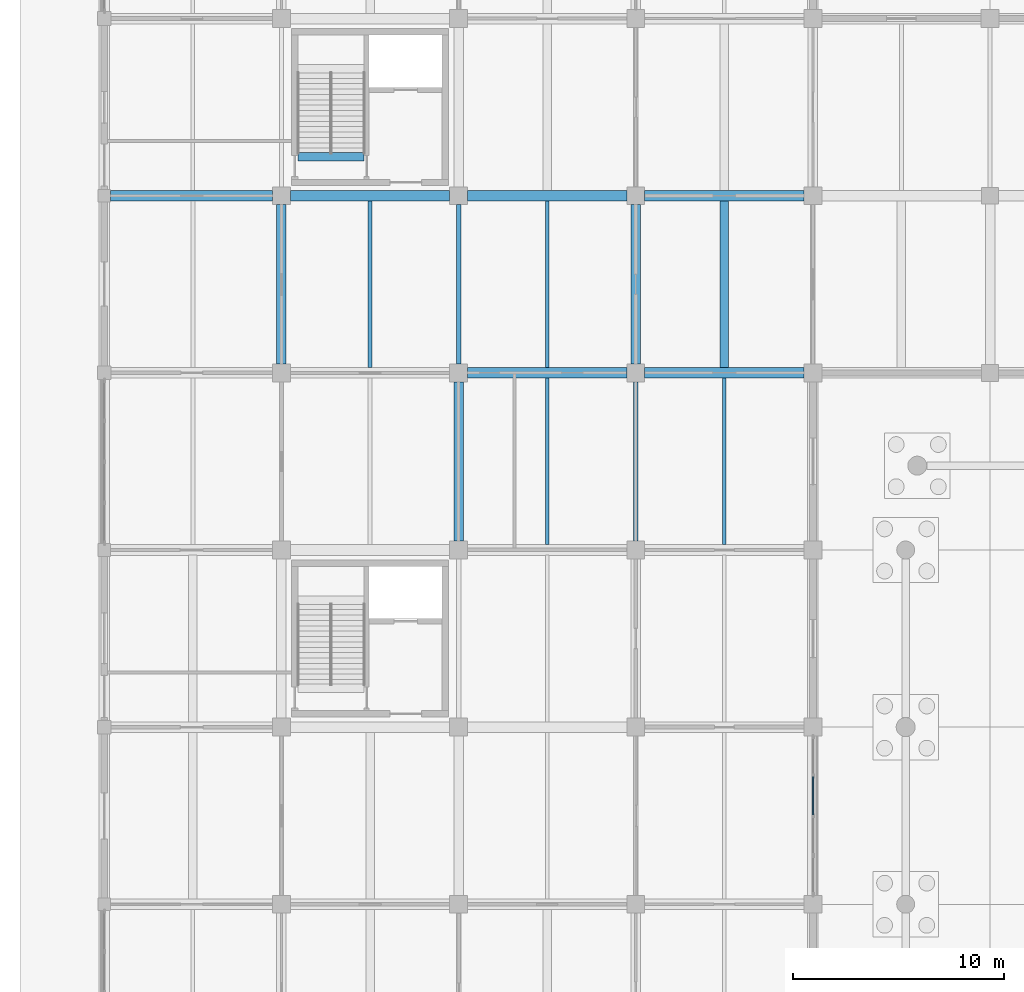
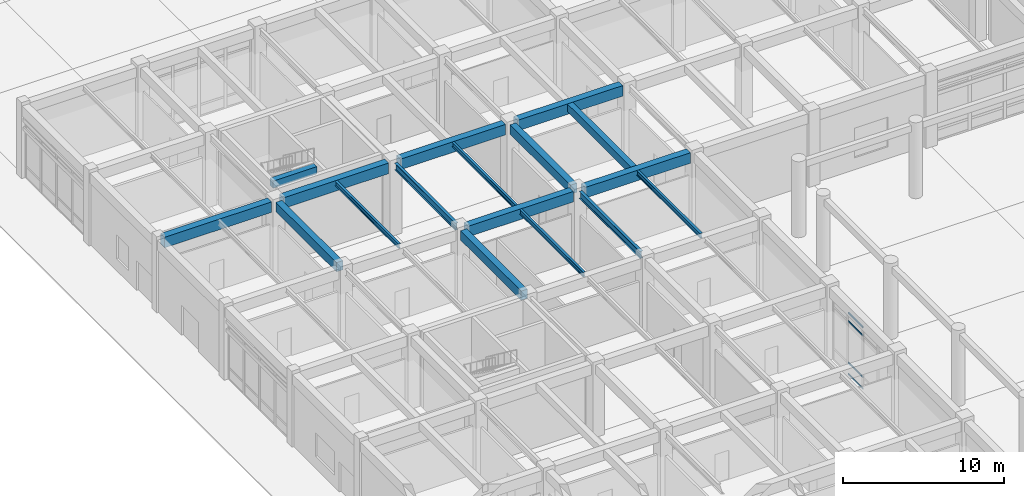
# One storey, part 8 of 91: 17 beams, 4 members, 1 element without a shape of its own.
"""IFC4 building model written with IfcOpenShell, lengths in metres."""

from ifc_helpers import new_model, si_unit, direction, frame, origin, origin_2d, place, context, subcontext, project, spatial, rectangle, i_section, extrude, material, layer, layer_set, material_profile, profile_set, type_object, element, aggregate, save


model = new_model("IFC4")

# Units and contexts
model_context = context("Model", 3, precision=1e-05, world=origin(), true_north=direction((0.0, 1.0)))
body_context = subcontext(model_context, "Body", "Model", "MODEL_VIEW")
ifc_project = project(units=[si_unit("LENGTHUNIT", "METRE"), si_unit("AREAUNIT", "SQUARE_METRE"), si_unit("VOLUMEUNIT", "CUBIC_METRE"), si_unit("PLANEANGLEUNIT", "RADIAN"), si_unit("MASSUNIT", "GRAM", prefix="KILO")], contexts=[model_context])

# Site, building, storey
site_placement = place(None, origin())
site = spatial("IfcSite", under=ifc_project, at=site_placement, CompositionType="ELEMENT")
building_placement = place(site_placement, origin())
building = spatial("IfcBuilding", under=site, at=building_placement, Name="Porcellanite Civic Hall", CompositionType="ELEMENT")
storey_placement = place(building_placement, origin())
storey = spatial("IfcBuildingStorey", under=building, at=storey_placement, Name="L00", CompositionType="ELEMENT", Elevation=0.0)

# Beams
ifc_material_1 = material(Name="Concrete N50 (50 MPa)", Category="concrete")
ifc_material_profile_1 = material_profile(ifc_material_1, rectangle(XDim=0.39990234375, YDim=0.550048828125, at=origin_2d()), Name="RC-400x550")
ifc_profile_set_1 = profile_set([ifc_material_profile_1], Name="Concrete N50 (50 MPa)")
beam_type_1 = type_object("IfcBeamType", Name="BM-RC550", PredefinedType="JOIST", material=ifc_profile_set_1)
beam_1_placement = place(storey_placement, frame((9.180419921875, 60.64990234375, 5.22509765625), z_axis=(1.0, 0.0, 0.0), x_axis=(0.0, 1.0, 0.0)))
element("IfcBeam", 1, at=beam_1_placement, inside=storey, type_object=beam_type_1, Name="Stair header beam C2 L00", PredefinedType="JOIST", context=body_context, shape_type="SweptSolid", body=[
    extrude(rectangle(XDim=0.39990234375, YDim=0.550048828125, at=origin_2d()), origin(), (0.0, 0.0, 1.0), 3.13916015625),
])
ifc_material_2 = material(Name="Concrete N50 (50 MPa)", Category="concrete")
ifc_material_profile_2 = material_profile(ifc_material_2, rectangle(XDim=0.39990234375, YDim=0.60009765625, at=origin_2d()), Name="RC-400x600")
ifc_profile_set_2 = profile_set([ifc_material_profile_2], Name="Concrete N50 (50 MPa)")
beam_type_2 = type_object("IfcBeamType", Name="BM-RC600", PredefinedType="JOIST", material=ifc_profile_set_2)
beam_2_placement = place(storey_placement, frame((29.39990234375, 50.6494140625, 5.199951171875), z_axis=(0.0, 1.0, 0.0), x_axis=(-1.0, 0.0, 0.0)))
element("IfcBeam", 2, at=beam_2_placement, inside=storey, type_object=beam_type_2, Name="Secondary joist L00 4-7", PredefinedType="JOIST", context=body_context, shape_type="SweptSolid", body=[
    extrude(rectangle(XDim=0.39990234375, YDim=0.60009765625, at=origin_2d()), origin(), (0.0, 0.0, 1.0), 7.901123046875),
])
ifc_material_3 = material(Name="Concrete N50 (50 MPa)", Category="concrete")
ifc_material_profile_3 = material_profile(ifc_material_3, rectangle(XDim=0.449951171875, YDim=0.699951171875, at=origin_2d()), Name="RC-450x700")
ifc_profile_set_3 = profile_set([ifc_material_profile_3], Name="Concrete N50 (50 MPa)")
beam_type_3 = type_object("IfcBeamType", Name="BM-RC700", PredefinedType="BEAM", material=ifc_profile_set_3)
for number, where, z_axis, x_axis, name in (
    (3, (8.39990234375, 50.824462890625, 5.14990234375), (0.0, 1.0, 0.0), (-1.0, 0.0, 0.0), "Beam Y L00 2-7"),
    (4, (16.800048828125, 42.424560546875, 5.14990234375), (0.0, 1.0, 0.0), (-1.0, 0.0, 0.0), "Beam Y L00 3-6"),
    (5, (25.199951171875, 50.824462890625, 5.14990234375), (0.0, 1.0, 0.0), (-1.0, 0.0, 0.0), "Beam Y L00 4-7"),
):
    element("IfcBeam", number, at=place(storey_placement, frame(where, z_axis=z_axis, x_axis=x_axis)), inside=storey, type_object=beam_type_3, Name=name, PredefinedType="BEAM", context=body_context, shape_type="SweptSolid", body=[
        extrude(rectangle(XDim=0.449951171875, YDim=0.699951171875, at=origin_2d()), origin(), (0.0, 0.0, 1.0), 7.551025390625),
    ])
ifc_material_4 = material(Name="Concrete N50 (50 MPa)", Category="concrete")
ifc_material_profile_4 = material_profile(ifc_material_4, rectangle(XDim=0.5, YDim=0.800048828125, at=origin_2d()), Name="RC-500x800")
ifc_profile_set_4 = profile_set([ifc_material_profile_4], Name="Concrete N50 (50 MPa)")
beam_type_4 = type_object("IfcBeamType", Name="BM-RC800", PredefinedType="BEAM", material=ifc_profile_set_4)
beam_3_placement = place(storey_placement, frame((0.299560546875, 58.800048828125, 5.10009765625), z_axis=(1.0, 0.0, 0.0), x_axis=(0.0, 1.0, 0.0)))
element("IfcBeam", 6, at=beam_3_placement, inside=storey, type_object=beam_type_4, Name="Beam X L00 1-8", PredefinedType="BEAM", context=body_context, shape_type="SweptSolid", body=[
    extrude(rectangle(XDim=0.5, YDim=0.800048828125, at=origin_2d()), origin(), (0.0, 0.0, 1.0), 7.676025390625),
])
beam_4_placement = place(storey_placement, frame((8.824462890625, 58.800048828125, 5.10009765625), z_axis=(1.0, 0.0, 0.0), x_axis=(0.0, 1.0, 0.0)))
element("IfcBeam", 7, at=beam_4_placement, inside=storey, type_object=beam_type_4, Name="Beam X L00 2-8", PredefinedType="BEAM", context=body_context, shape_type="SweptSolid", body=[
    extrude(rectangle(XDim=0.5, YDim=0.800048828125, at=origin_2d()), origin(), (0.0, 0.0, 1.0), 7.551025390625),
])
for number, where, z_axis, x_axis, name in (
    (8, (17.224609375, 50.39990234375, 5.10009765625), (1.0, 0.0, 0.0), (0.0, 1.0, 0.0), "Beam X L00 3-7"),
    (9, (17.224609375, 58.800048828125, 5.10009765625), (1.0, 0.0, 0.0), (0.0, 1.0, 0.0), "Beam X L00 3-8"),
):
    element("IfcBeam", number, at=place(storey_placement, frame(where, z_axis=z_axis, x_axis=x_axis)), inside=storey, type_object=beam_type_4, Name=name, PredefinedType="BEAM", context=body_context, shape_type="SweptSolid", body=[
        extrude(rectangle(XDim=0.5, YDim=0.800048828125, at=origin_2d()), origin(), (0.0, 0.0, 1.0), 7.55078125),
    ])
for number, where, z_axis, x_axis, name in (
    (10, (25.62451171875, 50.39990234375, 5.10009765625), (1.0, 0.0, 0.0), (0.0, 1.0, 0.0), "Beam X L00 4-7"),
    (11, (25.62451171875, 58.800048828125, 5.10009765625), (1.0, 0.0, 0.0), (0.0, 1.0, 0.0), "Beam X L00 4-8"),
):
    element("IfcBeam", number, at=place(storey_placement, frame(where, z_axis=z_axis, x_axis=x_axis)), inside=storey, type_object=beam_type_4, Name=name, PredefinedType="BEAM", context=body_context, shape_type="SweptSolid", body=[
        extrude(rectangle(XDim=0.5, YDim=0.800048828125, at=origin_2d()), origin(), (0.0, 0.0, 1.0), 7.551025390625),
    ])

# Curtain wall, members
ifc_material_5 = material(Name="Anodised aluminium and solar laminated glass", Category="aluminium")
ifc_layer = layer(ifc_material_5, 0.179931640625)
ifc_layer_set = layer_set([ifc_layer], Name="Anodised aluminium and solar laminated glass")
curtain_wall_type = type_object("IfcCurtainWallType", Name="CW-SYS05", PredefinedType="NOTDEFINED", material=ifc_layer_set)
curtain_wall_placement = place(storey_placement, origin())
curtain_wall = element("IfcCurtainWall", 12, at=curtain_wall_placement, inside=storey, type_object=curtain_wall_type, Name="Curtain wall CW-012", PredefinedType="NOTDEFINED")
ifc_material_6 = material(Name="Anodised aluminium 6063-T6", Category="aluminium")
ifc_material_profile_5 = material_profile(ifc_material_6, rectangle(XDim=0.06005859375, YDim=0.1298828125, at=origin_2d()), Name="AL-60x130")
ifc_profile_set_5 = profile_set([ifc_material_profile_5], Name="Anodised aluminium 6063-T6")
member_type = type_object("IfcMemberType", Name="CWT-03", PredefinedType="USERDEFINED", material=ifc_profile_set_5)
member_1_placement = place(storey_placement, frame((33.60009765625, 31.251953125, 0.030029296875), z_axis=(0.0, -1.0, 0.0), x_axis=(1.0, 0.0, 0.0)))
member_1 = element("IfcMember", 13, at=member_1_placement, type_object=member_type, Name="CW-012 transom 2.1", ObjectType="TRANSOM", PredefinedType="USERDEFINED", context=body_context, shape_type="SweptSolid", body=[
    extrude(rectangle(XDim=0.06005859375, YDim=0.1298828125, at=origin_2d()), origin(), (0.0, 0.0, 1.0), 1.81689453125),
])
member_2_placement = place(storey_placement, frame((33.60009765625, 31.251953125, 0.89990234375), z_axis=(0.0, -1.0, 0.0), x_axis=(1.0, 0.0, 0.0)))
member_2 = element("IfcMember", 14, at=member_2_placement, type_object=member_type, Name="CW-012 transom 2.2", ObjectType="TRANSOM", PredefinedType="USERDEFINED", context=body_context, shape_type="SweptSolid", body=[
    extrude(rectangle(XDim=0.06005859375, YDim=0.1298828125, at=origin_2d()), origin(), (0.0, 0.0, 1.0), 1.81689453125),
])
member_3_placement = place(storey_placement, frame((33.60009765625, 31.251953125, 4.050048828125), z_axis=(0.0, -1.0, 0.0), x_axis=(1.0, 0.0, 0.0)))
member_3 = element("IfcMember", 15, at=member_3_placement, type_object=member_type, Name="CW-012 transom 2.3", ObjectType="TRANSOM", PredefinedType="USERDEFINED", context=body_context, shape_type="SweptSolid", body=[
    extrude(rectangle(XDim=0.06005859375, YDim=0.1298828125, at=origin_2d()), origin(), (0.0, 0.0, 1.0), 1.81689453125),
])
member_4_placement = place(storey_placement, frame((33.60009765625, 31.251953125, 4.669921875), z_axis=(0.0, -1.0, 0.0), x_axis=(1.0, 0.0, 0.0)))
member_4 = element("IfcMember", 16, at=member_4_placement, type_object=member_type, Name="CW-012 transom 2.4", ObjectType="TRANSOM", PredefinedType="USERDEFINED", context=body_context, shape_type="SweptSolid", body=[
    extrude(rectangle(XDim=0.06005859375, YDim=0.1298828125, at=origin_2d()), origin(), (0.0, 0.0, 1.0), 1.81689453125),
])
aggregate(curtain_wall, [member_1, member_2, member_3, member_4])

# Beams
ifc_material_7 = material(Name="Steel Grade 350", Category="steel")
ifc_material_profile_6 = material_profile(ifc_material_7, i_section(OverallWidth=0.1708984375, OverallDepth=0.35595703125, WebThickness=0.00732421875, FlangeThickness=0.011474609375, FilletRadius=0.011474609375, at=origin_2d()), Name="360UB50.7")
ifc_profile_set_6 = profile_set([ifc_material_profile_6], Name="Steel Grade 350")
beam_type_5 = type_object("IfcBeamType", Name="JST-360UB51", PredefinedType="JOIST", material=ifc_profile_set_6)
beam_5_placement = place(storey_placement, frame((21.0, 50.6494140625, 5.322021484375), z_axis=(0.0, 1.0, 0.0), x_axis=(-1.0, 0.0, 0.0)))
element("IfcBeam", 17, at=beam_5_placement, inside=storey, type_object=beam_type_5, Name="Secondary joist L00 3-7", PredefinedType="JOIST", context=body_context, shape_type="SweptSolid", body=[
    extrude(i_section(OverallWidth=0.1708984375, OverallDepth=0.35595703125, WebThickness=0.00732421875, FlangeThickness=0.011474609375, FilletRadius=0.011474609375, at=origin_2d()), origin(), (0.0, 0.0, 1.0), 7.901123046875),
])
beam_6_placement = place(storey_placement, frame((29.39990234375, 42.24951171875, 5.322021484375), z_axis=(0.0, 1.0, 0.0), x_axis=(-1.0, 0.0, 0.0)))
element("IfcBeam", 18, at=beam_6_placement, inside=storey, type_object=beam_type_5, Name="Secondary joist L00 4-6", PredefinedType="JOIST", context=body_context, shape_type="SweptSolid", body=[
    extrude(i_section(OverallWidth=0.1708984375, OverallDepth=0.35595703125, WebThickness=0.00732421875, FlangeThickness=0.011474609375, FilletRadius=0.011474609375, at=origin_2d()), origin(), (0.0, 0.0, 1.0), 7.90087890625),
])
ifc_material_8 = material(Name="Steel Grade 350", Category="steel")
ifc_material_profile_7 = material_profile(ifc_material_8, i_section(OverallWidth=0.172119140625, OverallDepth=0.35888671875, WebThickness=0.008056640625, FlangeThickness=0.012939453125, FilletRadius=0.011474609375, at=origin_2d()), Name="360UB56.7")
ifc_profile_set_7 = profile_set([ifc_material_profile_7], Name="Steel Grade 350")
beam_type_6 = type_object("IfcBeamType", Name="JST-360UB57", PredefinedType="JOIST", material=ifc_profile_set_7)
beam_7_placement = place(storey_placement, frame((12.60009765625, 50.6494140625, 5.320556640625), z_axis=(0.0, 1.0, 0.0), x_axis=(-1.0, 0.0, 0.0)))
element("IfcBeam", 19, at=beam_7_placement, inside=storey, type_object=beam_type_6, Name="Secondary joist L00 2-7", PredefinedType="JOIST", context=body_context, shape_type="SweptSolid", body=[
    extrude(i_section(OverallWidth=0.172119140625, OverallDepth=0.35888671875, WebThickness=0.008056640625, FlangeThickness=0.012939453125, FilletRadius=0.011474609375, at=origin_2d()), origin(), (0.0, 0.0, 1.0), 7.901123046875),
])
beam_8_placement = place(storey_placement, frame((21.0, 42.24951171875, 5.320556640625), z_axis=(0.0, 1.0, 0.0), x_axis=(-1.0, 0.0, 0.0)))
element("IfcBeam", 20, at=beam_8_placement, inside=storey, type_object=beam_type_6, Name="Secondary joist L00 3-6", PredefinedType="JOIST", context=body_context, shape_type="SweptSolid", body=[
    extrude(i_section(OverallWidth=0.172119140625, OverallDepth=0.35888671875, WebThickness=0.008056640625, FlangeThickness=0.012939453125, FilletRadius=0.011474609375, at=origin_2d()), origin(), (0.0, 0.0, 1.0), 7.90087890625),
])
ifc_material_9 = material(Name="Steel Grade 350", Category="steel")
ifc_material_profile_8 = material_profile(ifc_material_9, i_section(OverallWidth=0.208984375, OverallDepth=0.528076171875, WebThickness=0.009521484375, FlangeThickness=0.01318359375, FilletRadius=0.013916015625, at=origin_2d()), Name="530UB82.0")
ifc_profile_set_8 = profile_set([ifc_material_profile_8], Name="Steel Grade 350")
beam_type_7 = type_object("IfcBeamType", Name="RAF-530UB82", PredefinedType="BEAM", material=ifc_profile_set_8)
for number, where, z_axis, x_axis, name in (
    (21, (16.800048828125, 50.824462890625, 5.236083984375), (0.0, 1.0, 0.0), (-1.0, 0.0, 0.0), "Beam Y L00 3-7"),
    (22, (25.199951171875, 42.424560546875, 5.236083984375), (0.0, 1.0, 0.0), (-1.0, 0.0, 0.0), "Beam Y L00 4-6"),
):
    element("IfcBeam", number, at=place(storey_placement, frame(where, z_axis=z_axis, x_axis=x_axis)), inside=storey, type_object=beam_type_7, Name=name, PredefinedType="BEAM", context=body_context, shape_type="SweptSolid", body=[
        extrude(i_section(OverallWidth=0.208984375, OverallDepth=0.528076171875, WebThickness=0.009521484375, FlangeThickness=0.01318359375, FilletRadius=0.013916015625, at=origin_2d()), origin(), (0.0, 0.0, 1.0), 7.551025390625),
    ])

save(model, "model.ifc")
